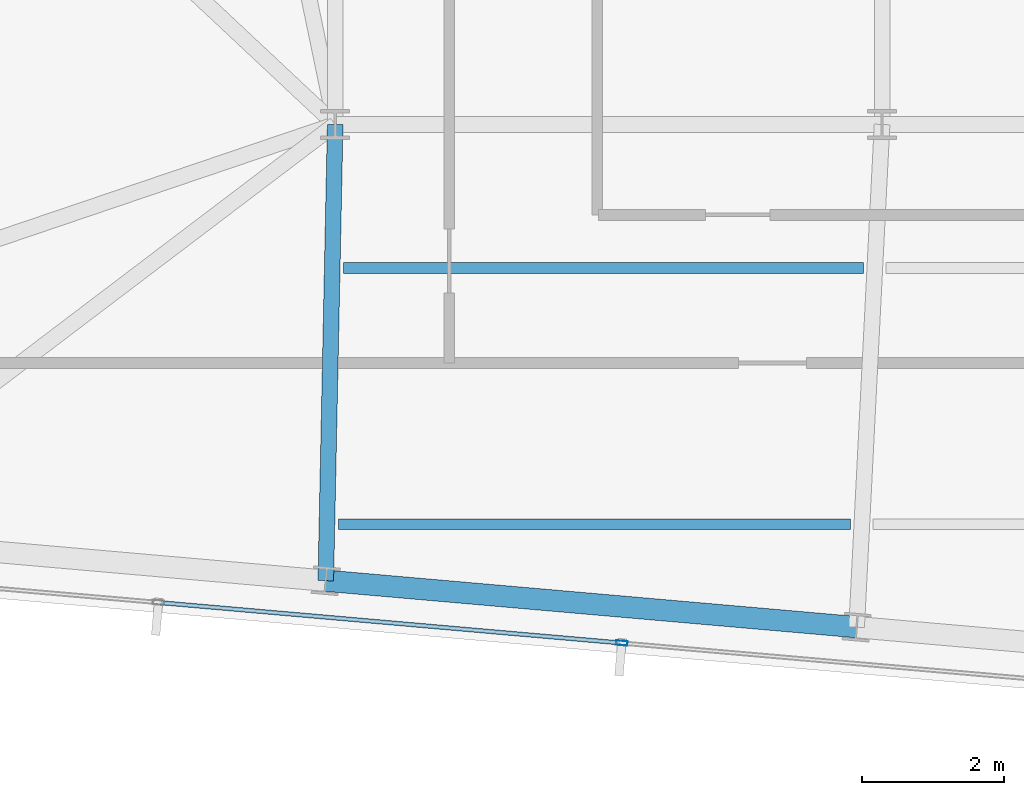
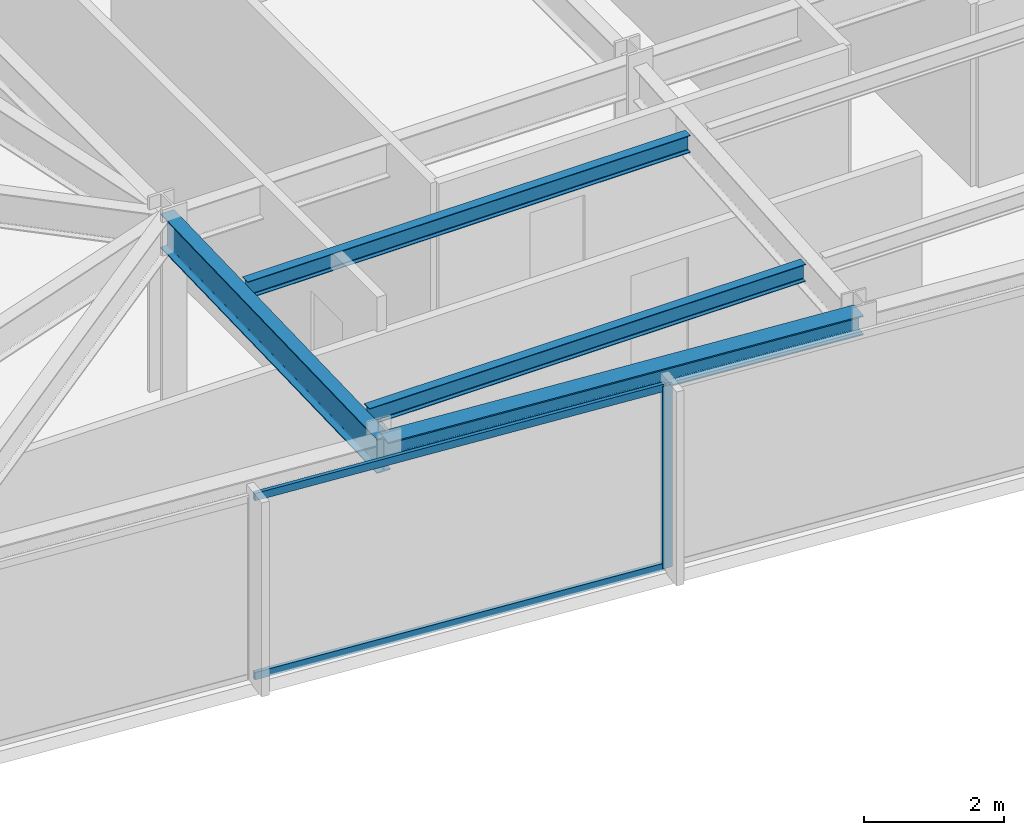
# One storey, part 6 of 32: 4 beams, 3 members, 1 element without a shape of its own.
"""IFC4 building model written with IfcOpenShell, lengths in metres."""

from ifc_helpers import new_model, si_unit, direction, frame, origin, origin_2d, place, context, subcontext, project, spatial, hollow_rectangle, i_section, extrude, material, material_profile, profile_set, type_object, element, aggregate, save


model = new_model("IFC4")

# Units and contexts
model_context = context("Model", 3, precision=1e-05, world=origin(), true_north=direction((0.0, 1.0)))
body_context = subcontext(model_context, "Body", "Model", "MODEL_VIEW")
ifc_project = project(units=[si_unit("LENGTHUNIT", "METRE"), si_unit("AREAUNIT", "SQUARE_METRE"), si_unit("VOLUMEUNIT", "CUBIC_METRE"), si_unit("PLANEANGLEUNIT", "RADIAN"), si_unit("MASSUNIT", "GRAM", prefix="KILO")], contexts=[model_context])

# Site, building, storey
site_placement = place(None, origin())
site = spatial("IfcSite", under=ifc_project, at=site_placement, CompositionType="ELEMENT")
building_placement = place(site_placement, origin())
building = spatial("IfcBuilding", under=site, at=building_placement, Name="Yelkora Congress Tower", CompositionType="ELEMENT")
storey_placement = place(building_placement, frame((0.0, 0.0, 279.5)))
storey = spatial("IfcBuildingStorey", under=building, at=storey_placement, Name="L78", CompositionType="ELEMENT", Elevation=279.5)

# Beams
ifc_material_1 = material(Name="Steel S355J2", Category="steel")
ifc_material_profile_1 = material_profile(ifc_material_1, i_section(OverallWidth=0.219970703125, OverallDepth=0.60009765625, WebThickness=0.011962890625, FlangeThickness=0.01904296875, FilletRadius=0.02392578125, at=origin_2d()), Name="IPE 600")
ifc_profile_set_1 = profile_set([ifc_material_profile_1], Name="Steel S355J2")
beam_type_1 = type_object("IfcBeamType", Name="BM-GIRD-IPE600", PredefinedType="BEAM", material=ifc_profile_set_1)
beam_1_placement = place(storey_placement, frame((22.90771484375, 18.793212890625, 2.8798828125), z_axis=(0.020649509667, 0.999786776143, 0.0), x_axis=(-0.999786776143, 0.020649509667, 0.0)))
element("IfcBeam", 1, at=beam_1_placement, inside=storey, type_object=beam_type_1, Name="L78 Primary Frame Girder S03", PredefinedType="BEAM", context=body_context, shape_type="SweptSolid", body=[
    extrude(i_section(OverallWidth=0.219970703125, OverallDepth=0.60009765625, WebThickness=0.011962890625, FlangeThickness=0.01904296875, FilletRadius=0.02392578125, at=origin_2d()), origin(), (0.0, 0.0, 1.0), 6.408203125),
])
ifc_material_profile_2 = material_profile(ifc_material_1, i_section(OverallWidth=0.14990234375, OverallDepth=0.300048828125, WebThickness=0.007080078125, FlangeThickness=0.0107421875, FilletRadius=0.014892578125, at=origin_2d()), Name="IPE 300")
ifc_profile_set_2 = profile_set([ifc_material_profile_2], Name="Steel S355J2")
beam_type_2 = type_object("IfcBeamType", Name="BM-JOIST-IPE300", PredefinedType="JOIST", material=ifc_profile_set_2)
beam_2_placement = place(storey_placement, frame((23.083984375, 19.58447265625, 3.030029296875), z_axis=(1.0, 0.0, 0.0), x_axis=(0.0, 1.0, 0.0)))
element("IfcBeam", 2, at=beam_2_placement, inside=storey, type_object=beam_type_2, Name="L78 Composite Floor Joist 1", PredefinedType="JOIST", context=body_context, shape_type="SweptSolid", body=[
    extrude(i_section(OverallWidth=0.14990234375, OverallDepth=0.300048828125, WebThickness=0.007080078125, FlangeThickness=0.0107421875, FilletRadius=0.014892578125, at=origin_2d()), origin(), (0.0, 0.0, 1.0), 7.191650390625),
])
beam_3_placement = place(storey_placement, frame((23.158447265625, 23.1845703125, 3.030029296875), z_axis=(1.0, 0.0, 0.0), x_axis=(0.0, 1.0, 0.0)))
element("IfcBeam", 3, at=beam_3_placement, inside=storey, type_object=beam_type_2, Name="L78 Composite Floor Joist 5", PredefinedType="JOIST", context=body_context, shape_type="SweptSolid", body=[
    extrude(i_section(OverallWidth=0.14990234375, OverallDepth=0.300048828125, WebThickness=0.007080078125, FlangeThickness=0.0107421875, FilletRadius=0.014892578125, at=origin_2d()), origin(), (0.0, 0.0, 1.0), 7.299560546875),
])
ifc_material_profile_3 = material_profile(ifc_material_1, i_section(OverallWidth=0.300048828125, OverallDepth=0.340087890625, WebThickness=0.011962890625, FlangeThickness=0.021484375, FilletRadius=0.027099609375, at=origin_2d()), Name="HEB 340")
ifc_profile_set_3 = profile_set([ifc_material_profile_3], Name="Steel S355J2")
beam_type_3 = type_object("IfcBeamType", Name="BM-SPAN-HEB340", PredefinedType="SPANDREL", material=ifc_profile_set_3)
beam_4_placement = place(storey_placement, frame((22.90771484375, 18.793212890625, 3.010009765625), z_axis=(0.99619601894, -0.087140644067, 0.0), x_axis=(0.087140644067, 0.99619601894, 0.0)))
element("IfcBeam", 4, at=beam_4_placement, inside=storey, type_object=beam_type_3, Name="L78 Perimeter Beam 3", PredefinedType="SPANDREL", context=body_context, shape_type="SweptSolid", body=[
    extrude(i_section(OverallWidth=0.300048828125, OverallDepth=0.340087890625, WebThickness=0.011962890625, FlangeThickness=0.021484375, FilletRadius=0.027099609375, at=origin_2d()), origin(), (0.0, 0.0, 1.0), 7.4833984375),
])

# Curtain wall, members
ifc_material_2 = material(Name="Anodised aluminium and insulated glass", Category="aluminium")
curtain_wall_type = type_object("IfcCurtainWallType", Name="CW-SYS-B5", PredefinedType="NOTDEFINED", material=ifc_material_2)
curtain_wall_placement = place(storey_placement, origin())
curtain_wall = element("IfcCurtainWall", 5, at=curtain_wall_placement, inside=storey, type_object=curtain_wall_type, Name="L78 Unitised Curtain Wall 20", PredefinedType="NOTDEFINED")
ifc_material_3 = material(Name="Anodised aluminium 6063-T6", Category="aluminium")
ifc_material_profile_4 = material_profile(ifc_material_3, hollow_rectangle(XDim=0.06494140625, YDim=0.159912109375, WallThickness=0.00390625, at=origin_2d()), Name="ALU 65x160x4")
ifc_profile_set_4 = profile_set([ifc_material_profile_4], Name="Anodised aluminium 6063-T6")
member_type_1 = type_object("IfcMemberType", Name="MEM-ML-B5", PredefinedType="MULLION", material=ifc_profile_set_4)
member_1_placement = place(storey_placement, frame((27.06494140625, 17.917724609375, 0.0), z_axis=(0.0, 0.0, 1.0), x_axis=(-0.087156829793, -0.996194602987, 0.0)))
member_1 = element("IfcMember", 6, at=member_1_placement, type_object=member_type_1, Name="CW-B5 mullion 5", PredefinedType="MULLION", context=body_context, shape_type="SweptSolid", body=[
    extrude(hollow_rectangle(XDim=0.06494140625, YDim=0.159912109375, WallThickness=0.00390625, at=origin_2d()), origin(), (0.0, 0.0, 1.0), 3.179931640625),
])
ifc_material_profile_5 = material_profile(ifc_material_3, hollow_rectangle(XDim=0.06005859375, YDim=0.1298828125, WallThickness=0.00390625, at=origin_2d()), Name="ALU 60x130x4")
ifc_profile_set_5 = profile_set([ifc_material_profile_5], Name="Anodised aluminium 6063-T6")
member_type_2 = type_object("IfcMemberType", Name="MEM-TR-B5", PredefinedType="USERDEFINED", material=ifc_profile_set_5)
member_2_placement = place(storey_placement, frame((27.032470703125, 17.920654296875, 0.030029296875), z_axis=(-0.996196257862, 0.087137912649, 0.0), x_axis=(-0.087137912649, -0.996196257862, 0.0)))
member_2 = element("IfcMember", 7, at=member_2_placement, type_object=member_type_2, Name="CW-B5 transom 5.1", ObjectType="TRANSOM", PredefinedType="USERDEFINED", context=body_context, shape_type="SweptSolid", body=[
    extrude(hollow_rectangle(XDim=0.06005859375, YDim=0.1298828125, WallThickness=0.00390625, at=origin_2d()), origin(), (0.0, 0.0, 1.0), 6.466552734375),
])
member_3_placement = place(storey_placement, frame((27.032470703125, 17.920654296875, 3.14990234375), z_axis=(-0.996196257862, 0.087137912649, 0.0), x_axis=(-0.087137912649, -0.996196257862, 0.0)))
member_3 = element("IfcMember", 8, at=member_3_placement, type_object=member_type_2, Name="CW-B5 transom 5.2", ObjectType="TRANSOM", PredefinedType="USERDEFINED", context=body_context, shape_type="SweptSolid", body=[
    extrude(hollow_rectangle(XDim=0.06005859375, YDim=0.1298828125, WallThickness=0.00390625, at=origin_2d()), origin(), (0.0, 0.0, 1.0), 6.466552734375),
])
aggregate(curtain_wall, [member_1, member_2, member_3])

save(model, "model.ifc")
